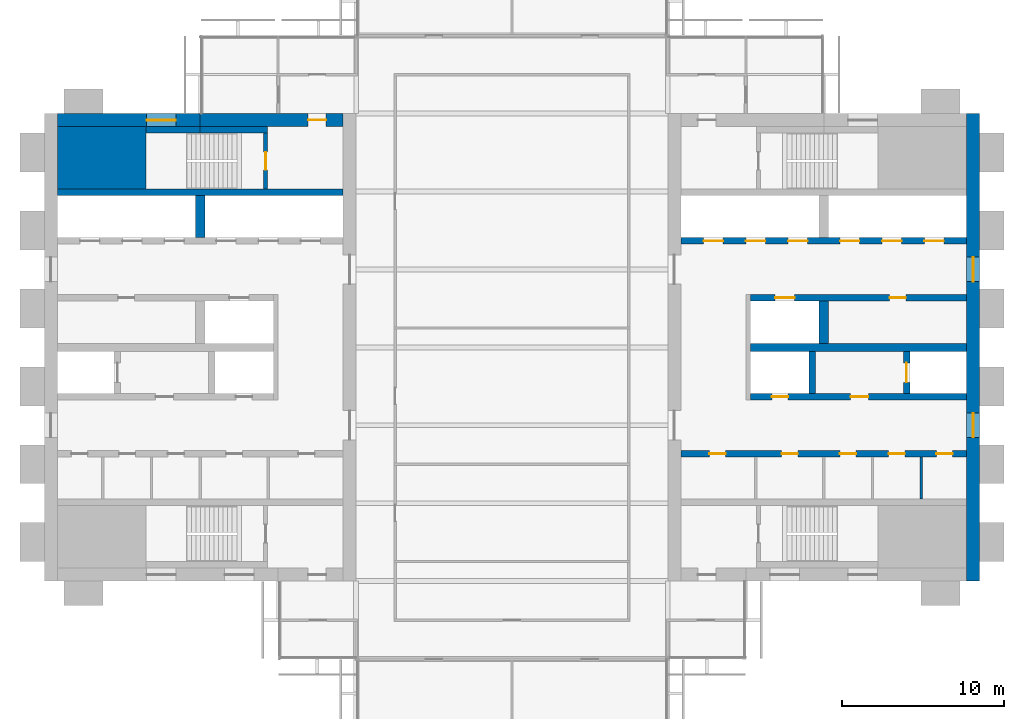
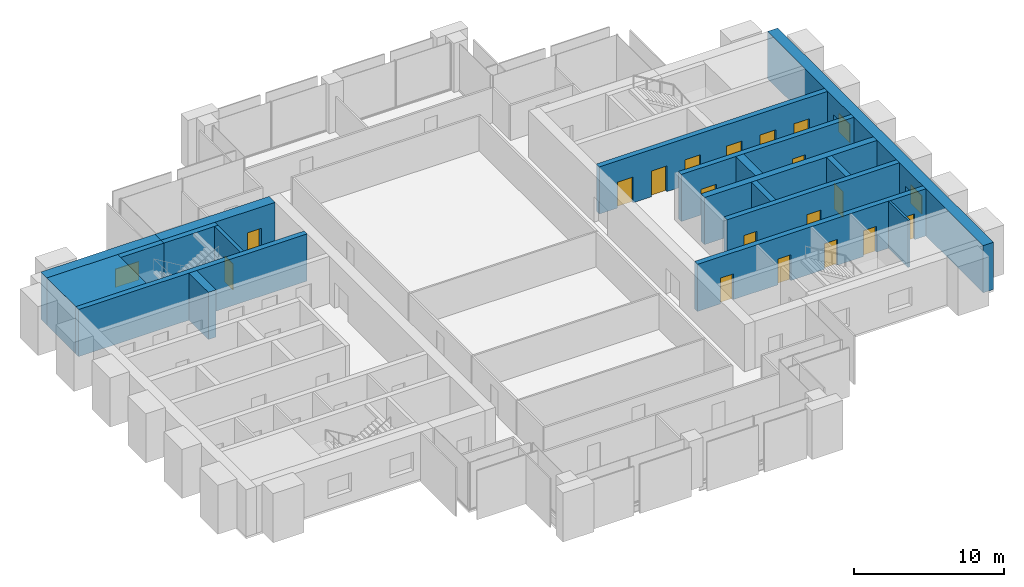
# One storey, part 10 of 13: 18 doors, 18 walls, 3 windows, 21 openings.
"""IFC4 building model written with IfcOpenShell, lengths in metres."""

import ifcopenshell
import ifcopenshell.guid

model = None  # the IFC model being written
_history = None  # IfcOwnerHistory: only IFC2X3 demands one
_inside = {}  # id of a spatial element -> (the spatial element, [elements in it])
_under = {}  # id of a project, library or spatial element -> (it, [spatial elements below it])
_declared = {}  # id of a project -> (the project, [libraries it declares])
_typed = {}  # id of a type object -> (the type object, [elements of that type])
_made_of = {}  # id of a material, layer set ... -> (it, [elements and type objects made of it])


def new_model(schema):
    """Start an empty IFC model of exactly this schema.

    Asked for "IFC4X3", IfcOpenShell would pick the latest addendum, in which some entities
    have other attributes; the version numbers below select the first issue.
    IFC2X3 requires an IfcOwnerHistory on every rooted entity: one is made here for all.
    """
    global model, _history
    if schema == "IFC4X3":
        model = ifcopenshell.file(schema_version=(4, 3, 0, 0))
    else:
        model = ifcopenshell.file(schema=schema)
    _inside.clear()
    _under.clear()
    _declared.clear()
    _typed.clear()
    _made_of.clear()
    _history = None
    if model.schema == "IFC2X3":
        org = make("IfcOrganization", Name="unknown")
        user = make(
            "IfcPersonAndOrganization",
            ThePerson=make("IfcPerson", FamilyName="unknown"),
            TheOrganization=org,
        )
        app = make(
            "IfcApplication",
            ApplicationDeveloper=org,
            Version="unknown",
            ApplicationFullName="unknown",
            ApplicationIdentifier="unknown",
        )
        _history = make(
            "IfcOwnerHistory",
            OwningUser=user,
            OwningApplication=app,
            ChangeAction="ADDED",
            CreationDate=0,
        )
    return model


def make(cls, **values):
    """One entity of the class cls with the attributes given. An attribute that is None is left unset."""
    return model.create_entity(
        cls, **{name: value for name, value in values.items() if value is not None}
    )


def rooted(cls, **values):
    """An entity with a GlobalId (a new one), such as an element, a storey or a relation."""
    return make(cls, GlobalId=ifcopenshell.guid.new(), OwnerHistory=_history, **values)


def si_unit(unit_type, name, prefix=None):
    """IfcSIUnit, for example si_unit("LENGTHUNIT", "METRE", prefix="MILLI")."""
    return make("IfcSIUnit", UnitType=unit_type, Prefix=prefix, Name=name)


def assignment(units):
    """IfcUnitAssignment: the units of a project."""
    return None if units is None else make("IfcUnitAssignment", Units=units)


def point(xyz):
    """IfcCartesianPoint."""
    return None if xyz is None else make("IfcCartesianPoint", Coordinates=xyz)


def direction(xyz):
    """IfcDirection."""
    return None if xyz is None else make("IfcDirection", DirectionRatios=xyz)


def frame(location, z_axis=None, x_axis=None):
    """IfcAxis2Placement3D, a coordinate frame: its origin and axes. An axis left out is left unset."""
    return make(
        "IfcAxis2Placement3D",
        Location=point(location),
        Axis=direction(z_axis),
        RefDirection=direction(x_axis),
    )


def frame_2d(location, x_axis=None):
    """IfcAxis2Placement2D, a coordinate frame in the plane: its origin and x axis."""
    return make(
        "IfcAxis2Placement2D", Location=point(location), RefDirection=direction(x_axis)
    )


def origin():
    """The frame at (0, 0, 0) with its axes left unset."""
    return frame((0.0, 0.0, 0.0))


def place(relative_to, where):
    """IfcLocalPlacement: puts the frame where relative to a parent placement (None: the world)."""
    return make(
        "IfcLocalPlacement", PlacementRelTo=relative_to, RelativePlacement=where
    )


def context(
    kind, dimensions, precision=None, world=None, true_north=None, identifier=None
):
    """IfcGeometricRepresentationContext, for example the 3D "Model" context."""
    return make(
        "IfcGeometricRepresentationContext",
        ContextIdentifier=identifier,
        ContextType=kind,
        CoordinateSpaceDimension=dimensions,
        Precision=precision,
        WorldCoordinateSystem=world,
        TrueNorth=true_north,
    )


def subcontext(parent, identifier, kind, view, scale=None):
    """IfcGeometricRepresentationSubContext, for example "Body" below "Model"."""
    return make(
        "IfcGeometricRepresentationSubContext",
        ContextIdentifier=identifier,
        ContextType=kind,
        ParentContext=parent,
        TargetScale=scale,
        TargetView=view,
    )


def project(units=None, contexts=None):
    """IfcProject with its units and contexts."""
    return rooted(
        "IfcProject",
        Name="project",
        RepresentationContexts=contexts,
        UnitsInContext=assignment(units),
    )


def spatial(cls, under=None, at=None, **own):
    """A site, building, storey or space (cls), placed at a placement, below another one or the project."""
    s = rooted(cls, ObjectPlacement=at, **own)
    if under is not None:
        _under.setdefault(under.id(), (under, []))[1].append(s)
    return s


def profile(cls, at=None, kind="AREA", **sizes):
    """A parametric profile (cls). Its sizes go by their IFC names, for example OverallWidth=200.0."""
    return make(cls, ProfileType=kind, Position=at, **sizes)


def rectangle(**sizes):
    """IfcRectangleProfileDef."""
    return profile("IfcRectangleProfileDef", **sizes)


def extrude(swept, where, along, depth):
    """IfcExtrudedAreaSolid: the profile swept, set in the frame where, extruded along a direction by depth."""
    return make(
        "IfcExtrudedAreaSolid",
        SweptArea=swept,
        Position=where,
        ExtrudedDirection=direction(along),
        Depth=depth,
    )


def shape(context_of_items, identifier, shape_type, items):
    """IfcShapeRepresentation: the items that make up one representation, for example the "Body"."""
    return make(
        "IfcShapeRepresentation",
        ContextOfItems=context_of_items,
        RepresentationIdentifier=identifier,
        RepresentationType=shape_type,
        Items=items,
    )


def material(Name=None, Category=None):
    """IfcMaterial."""
    return make("IfcMaterial", Name=Name, Category=Category)


def layer(
    of_material, thickness, ventilated=None, Name=None, Category=None, Priority=None
):
    """IfcMaterialLayer: one layer of a wall or slab, of a material (None: an air gap)."""
    return make(
        "IfcMaterialLayer",
        Material=of_material,
        LayerThickness=thickness,
        IsVentilated=ventilated,
        Name=Name,
        Category=Category,
        Priority=Priority,
    )


def layer_set(layers, Name=None):
    """IfcMaterialLayerSet."""
    return make("IfcMaterialLayerSet", MaterialLayers=layers, LayerSetName=Name)


def made_of(thing, what):
    """Note that an element or type object is made of a material, layer set ...; save() writes the relation."""
    if what is not None:
        _made_of.setdefault(what.id(), (what, []))[1].append(thing)
    return thing


def type_object(cls, material=None, **own):
    """A type object (cls), such as IfcWallType, which elements share."""
    return made_of(rooted(cls, **own), material)


def element(
    cls,
    number,
    at=None,
    inside=None,
    cuts=None,
    type_object=None,
    material=None,
    context=None,
    identifier="Body",
    shape_type=None,
    held_by="IfcProductDefinitionShape",
    body=None,
    shapes=None,
    **own,
):
    """One element of the class cls, such as IfcWall. Its Tag is "e" and its number.

    at: its placement. inside: the storey or other place that contains it. cuts: it is an
    opening in that element (IfcRelVoidsElement). A single representation is given by context,
    identifier, shape_type and body (its items); several are given by shapes. held_by: the class
    of the entity that holds the representations. save() writes the other relations.
    """
    e = rooted(cls, Tag="e%d" % number, ObjectPlacement=at, **own)
    if body is not None:
        shapes = [shape(context, identifier, shape_type, body)]
    if shapes is not None:
        e.Representation = make(held_by, Representations=shapes)
    if inside is not None:
        _inside.setdefault(inside.id(), (inside, []))[1].append(e)
    if cuts is not None:
        rooted(
            "IfcRelVoidsElement", RelatingBuildingElement=cuts, RelatedOpeningElement=e
        )
    if type_object is not None:
        _typed.setdefault(type_object.id(), (type_object, []))[1].append(e)
    return made_of(e, material)


def fill(opening, filler):
    """IfcRelFillsElement: the door or window that sits in an opening."""
    return rooted(
        "IfcRelFillsElement",
        RelatingOpeningElement=opening,
        RelatedBuildingElement=filler,
    )


def aggregate(whole, parts):
    """IfcRelAggregates: a whole, such as a stair, and the parts it consists of."""
    return rooted("IfcRelAggregates", RelatingObject=whole, RelatedObjects=parts)


def save(model, path):
    """Write the relations noted so far, then the file.

    IfcRelAggregates (storeys below a building ...), IfcRelContainedInSpatialStructure (elements
    in a storey), IfcRelDefinesByType, IfcRelAssociatesMaterial and IfcRelDeclares: one each for
    every whole, place, type object, material and project.
    """
    for whole, parts in _under.values():
        aggregate(whole, parts)
    for where, things in _inside.values():
        rooted(
            "IfcRelContainedInSpatialStructure",
            RelatedElements=things,
            RelatingStructure=where,
        )
    for kind, things in _typed.values():
        rooted("IfcRelDefinesByType", RelatedObjects=things, RelatingType=kind)
    for what, things in _made_of.values():
        rooted("IfcRelAssociatesMaterial", RelatedObjects=things, RelatingMaterial=what)
    for by, libraries in _declared.values():
        rooted("IfcRelDeclares", RelatingContext=by, RelatedDefinitions=libraries)
    model.write(path)


model = new_model("IFC4")

# Units and contexts
model_context = context("Model", 3, precision=1e-05, world=origin(), true_north=direction((0.0, 1.0)))
body_context = subcontext(model_context, "Body", "Model", "MODEL_VIEW")
ifc_project = project(units=[si_unit("LENGTHUNIT", "METRE"), si_unit("AREAUNIT", "SQUARE_METRE"), si_unit("VOLUMEUNIT", "CUBIC_METRE"), si_unit("PLANEANGLEUNIT", "RADIAN"), si_unit("MASSUNIT", "GRAM", prefix="KILO")], contexts=[model_context])

# Site, building, storey
site_placement = place(None, origin())
site = spatial("IfcSite", under=ifc_project, at=site_placement, CompositionType="ELEMENT")
building_placement = place(site_placement, origin())
building = spatial("IfcBuilding", under=site, at=building_placement, Name="Baori Bourse Tower", CompositionType="ELEMENT")
storey_placement = place(building_placement, frame((0.0, 0.0, 253.199951171875)))
storey = spatial("IfcBuildingStorey", under=building, at=storey_placement, Name="L56", CompositionType="ELEMENT", Elevation=253.199951171875)

# Walls
ifc_material_1 = material(Name="Concrete f'c 50 MPa", Category="concrete")
wall_type_1 = type_object("IfcWallType", Name="Core corner block f'c 50", PredefinedType="SHEAR", material=ifc_material_1)
wall_1_placement = place(storey_placement, frame((0.800048828125, 35.675048828125, 0.0), z_axis=(0.0, 0.0, 1.0), x_axis=(1.0, 0.0, 0.0)))
element("IfcWall", 1, at=wall_1_placement, inside=storey, type_object=wall_type_1, Name="Core wall W24", PredefinedType="SHEAR", context=body_context, shape_type="SweptSolid", body=[
    extrude(rectangle(XDim=5.449951171875, YDim=3.85009765625, at=frame_2d((2.72509765625, 0.0))), origin(), (0.0, 0.0, 1.0), 3.840087890625),
])
ifc_material_2 = material(Name="Blockwork partition", Category="masonry")
ifc_layer_1 = layer(ifc_material_2, 0.14990234375)
ifc_layer_set_1 = layer_set([ifc_layer_1], Name="Core partition 150")
wall_type_2 = type_object("IfcWallType", Name="Core partition 150", PredefinedType="PARTITIONING", material=ifc_layer_set_1)
wall_2_placement = place(storey_placement, frame((54.0, 14.64990234375, 0.0), z_axis=(0.0, 0.0, 1.0), x_axis=(0.0, 1.0, 0.0)))
element("IfcWall", 2, at=wall_2_placement, inside=storey, type_object=wall_type_2, Name="Partition wall E09", PredefinedType="PARTITIONING", context=body_context, shape_type="SweptSolid", body=[
    extrude(rectangle(XDim=2.60009765625, YDim=0.14990234375, at=frame_2d((1.300048828125, 0.0))), origin(), (0.0, 0.0, 1.0), 3.840087890625),
])

# Wall, opening, window
ifc_material_3 = material(Name="Concrete f'c 50 MPa", Category="concrete")
ifc_layer_2 = layer(ifc_material_3, 0.800048828125)
ifc_layer_set_2 = layer_set([ifc_layer_2], Name="Core wall 800 f'c 50")
wall_type_3 = type_object("IfcWallType", Name="Core wall 800 f'c 50", PredefinedType="SHEAR", material=ifc_layer_set_2)
wall_3_placement = place(storey_placement, frame((0.800048828125, 38.0, 0.0), z_axis=(0.0, 0.0, 1.0), x_axis=(1.0, 0.0, 0.0)))
wall_3 = element("IfcWall", 3, at=wall_3_placement, inside=storey, type_object=wall_type_3, Name="Core wall W28", PredefinedType="SHEAR", context=body_context, shape_type="SweptSolid", body=[
    extrude(rectangle(XDim=8.800048828125, YDim=0.800048828125, at=frame_2d((4.39990234375, 0.0))), origin(), (0.0, 0.0, 1.0), 3.840087890625),
])
opening_1_placement = place(wall_3_placement, frame((5.5, 0.0, 0.89990234375)))
opening_1 = element("IfcOpeningElement", 4, at=opening_1_placement, cuts=wall_3, Name="Opening L56-KW105", PredefinedType="OPENING", context=body_context, shape_type="SweptSolid", body=[
    extrude(rectangle(XDim=1.800048828125, YDim=1.5, at=frame_2d((0.89990234375, 0.75))), frame((0.0, 0.409912109375, 0.0), z_axis=(0.0, -1.0, 0.0), x_axis=(1.0, 0.0, 0.0)), (0.0, 0.0, 1.0), 0.820068359375),
])
ifc_material_4 = material(Name="Pale anodised aluminium", Category="aluminium")
window_type_1 = type_object("IfcWindowType", Name="Stair window 1800 x 1500", PartitioningType="SINGLE_PANEL", PredefinedType="WINDOW", material=ifc_material_4)
window_1_placement = place(opening_1_placement, origin())
window_1 = element("IfcWindow", 5, at=window_1_placement, inside=storey, type_object=window_type_1, Name="Stair window W L56 5", OverallHeight=1.5, OverallWidth=1.800048828125, PartitioningType="SINGLE_PANEL", PredefinedType="WINDOW", context=body_context, shape_type="SweptSolid", body=[
    extrude(rectangle(XDim=1.800048828125, YDim=1.5, at=frame_2d((0.89990234375, 0.75))), frame((0.0, 0.030029296875, 0.0), z_axis=(0.0, -1.0, 0.0), x_axis=(1.0, 0.0, 0.0)), (0.0, 0.0, 1.0), 0.06005859375),
])
fill(opening_1, window_1)

# Wall, opening, door
wall_4_placement = place(storey_placement, frame((9.60009765625, 38.0, 0.0), z_axis=(0.0, 0.0, 1.0), x_axis=(1.0, 0.0, 0.0)))
wall_4 = element("IfcWall", 6, at=wall_4_placement, inside=storey, type_object=wall_type_3, Name="Core wall W29", PredefinedType="SHEAR", context=body_context, shape_type="SweptSolid", body=[
    extrude(rectangle(XDim=8.7998046875, YDim=0.800048828125, at=frame_2d((4.39990234375, 0.0))), origin(), (0.0, 0.0, 1.0), 3.840087890625),
])
opening_2_placement = place(wall_4_placement, frame((6.64990234375, 0.0, 0.0)))
opening_2 = element("IfcOpeningElement", 7, at=opening_2_placement, cuts=wall_4, Name="Opening L56-D104", PredefinedType="OPENING", context=body_context, shape_type="SweptSolid", body=[
    extrude(rectangle(XDim=1.10009765625, YDim=2.10009765625, at=frame_2d((0.550048828125, 1.050048828125))), frame((0.0, 0.409912109375, 0.0), z_axis=(0.0, -1.0, 0.0), x_axis=(1.0, 0.0, 0.0)), (0.0, 0.0, 1.0), 0.820068359375),
])
ifc_material_5 = material(Name="Painted steel door", Category="steel")
door_type_1 = type_object("IfcDoorType", Name="Stair door 1100", OperationType="SINGLE_SWING_LEFT", PredefinedType="DOOR", material=ifc_material_5)
door_1_placement = place(opening_2_placement, origin())
door_1 = element("IfcDoor", 8, at=door_1_placement, inside=storey, type_object=door_type_1, Name="Stair vestibule door B W L56", OperationType="SINGLE_SWING_LEFT", OverallHeight=2.10009765625, OverallWidth=1.10009765625, PredefinedType="DOOR", context=body_context, shape_type="SweptSolid", body=[
    extrude(rectangle(XDim=1.10009765625, YDim=2.10009765625, at=frame_2d((0.550048828125, 1.050048828125))), frame((0.0, 0.02490234375, 0.0), z_axis=(0.0, -1.0, 0.0), x_axis=(1.0, 0.0, 0.0)), (0.0, 0.0, 1.0), 0.050048828125),
])
fill(opening_2, door_1)

# Wall, openings, windows
wall_5_placement = place(storey_placement, frame((57.199951171875, 38.39990234375, 0.0), z_axis=(0.0, 0.0, 1.0), x_axis=(0.0, -1.0, 0.0)))
wall_5 = element("IfcWall", 9, at=wall_5_placement, inside=storey, type_object=wall_type_3, Name="Core wall E01", PredefinedType="SHEAR", context=body_context, shape_type="SweptSolid", body=[
    extrude(rectangle(XDim=28.7998046875, YDim=0.800048828125, at=frame_2d((14.39990234375, 0.0))), origin(), (0.0, 0.0, 1.0), 3.840087890625),
])
opening_3_placement = place(wall_5_placement, frame((18.449951171875, 0.0, 0.89990234375)))
opening_3 = element("IfcOpeningElement", 10, at=opening_3_placement, cuts=wall_5, Name="Opening L56-KW201", PredefinedType="OPENING", context=body_context, shape_type="SweptSolid", body=[
    extrude(rectangle(XDim=1.5, YDim=1.5, at=frame_2d((0.75, 0.75))), frame((0.0, 0.409912109375, 0.0), z_axis=(0.0, -1.0, 0.0), x_axis=(1.0, 0.0, 0.0)), (0.0, 0.0, 1.0), 0.820068359375),
])
opening_4_placement = place(wall_5_placement, frame((8.85009765625, 0.0, 0.89990234375)))
opening_4 = element("IfcOpeningElement", 11, at=opening_4_placement, cuts=wall_5, Name="Opening L56-KW202", PredefinedType="OPENING", context=body_context, shape_type="SweptSolid", body=[
    extrude(rectangle(XDim=1.5, YDim=1.5, at=frame_2d((0.75, 0.75))), frame((0.0, 0.409912109375, 0.0), z_axis=(0.0, -1.0, 0.0), x_axis=(1.0, 0.0, 0.0)), (0.0, 0.0, 1.0), 0.820068359375),
])
ifc_material_6 = material(Name="Pale anodised aluminium", Category="aluminium")
window_type_2 = type_object("IfcWindowType", Name="Lobby window 1500 x 1500", PartitioningType="SINGLE_PANEL", PredefinedType="WINDOW", material=ifc_material_6)
window_2_placement = place(opening_3_placement, origin())
window_2 = element("IfcWindow", 12, at=window_2_placement, inside=storey, type_object=window_type_2, Name="Outer wall window E L56 1", OverallHeight=1.5, OverallWidth=1.5, PartitioningType="SINGLE_PANEL", PredefinedType="WINDOW", context=body_context, shape_type="SweptSolid", body=[
    extrude(rectangle(XDim=1.5, YDim=1.5, at=frame_2d((0.75, 0.75))), frame((0.0, 0.030029296875, 0.0), z_axis=(0.0, -1.0, 0.0), x_axis=(1.0, 0.0, 0.0)), (0.0, 0.0, 1.0), 0.06005859375),
])
fill(opening_3, window_2)
window_3_placement = place(opening_4_placement, origin())
window_3 = element("IfcWindow", 13, at=window_3_placement, inside=storey, type_object=window_type_2, Name="Outer wall window E L56 2", OverallHeight=1.5, OverallWidth=1.5, PartitioningType="SINGLE_PANEL", PredefinedType="WINDOW", context=body_context, shape_type="SweptSolid", body=[
    extrude(rectangle(XDim=1.5, YDim=1.5, at=frame_2d((0.75, 0.75))), frame((0.0, 0.030029296875, 0.0), z_axis=(0.0, -1.0, 0.0), x_axis=(1.0, 0.0, 0.0)), (0.0, 0.0, 1.0), 0.06005859375),
])
fill(opening_4, window_3)

# Wall, opening, door
ifc_material_7 = material(Name="Concrete f'c 50 MPa", Category="concrete")
ifc_layer_3 = layer(ifc_material_7, 0.25)
ifc_layer_set_3 = layer_set([ifc_layer_3], Name="Shaft wall 250 f'c 50")
wall_type_4 = type_object("IfcWallType", Name="Shaft wall 250 f'c 50", PredefinedType="SHEAR", material=ifc_layer_set_3)
wall_6_placement = place(storey_placement, frame((13.625, 33.75, 0.0), z_axis=(0.0, 0.0, 1.0), x_axis=(0.0, 1.0, 0.0)))
wall_6 = element("IfcWall", 14, at=wall_6_placement, inside=storey, type_object=wall_type_4, Name="Core wall W25", PredefinedType="SHEAR", context=body_context, shape_type="SweptSolid", body=[
    extrude(rectangle(XDim=3.449951171875, YDim=0.25, at=frame_2d((1.72509765625, 0.0))), origin(), (0.0, 0.0, 1.0), 3.840087890625),
])
opening_5_placement = place(wall_6_placement, frame((1.175048828125, 0.0, 0.0)))
opening_5 = element("IfcOpeningElement", 15, at=opening_5_placement, cuts=wall_6, Name="Opening L56-D103", PredefinedType="OPENING", context=body_context, shape_type="SweptSolid", body=[
    extrude(rectangle(XDim=1.10009765625, YDim=2.10009765625, at=frame_2d((0.550048828125, 1.050048828125))), frame((0.0, 0.135009765625, 0.0), z_axis=(0.0, -1.0, 0.0), x_axis=(1.0, 0.0, 0.0)), (0.0, 0.0, 1.0), 0.27001953125),
])
door_2_placement = place(opening_5_placement, origin())
door_2 = element("IfcDoor", 16, at=door_2_placement, inside=storey, type_object=door_type_1, Name="Stair door B W L56", OperationType="SINGLE_SWING_LEFT", OverallHeight=2.10009765625, OverallWidth=1.10009765625, PredefinedType="DOOR", context=body_context, shape_type="SweptSolid", body=[
    extrude(rectangle(XDim=1.10009765625, YDim=2.10009765625, at=frame_2d((0.550048828125, 1.050048828125))), frame((0.0, 0.02490234375, 0.0), z_axis=(0.0, -1.0, 0.0), x_axis=(1.0, 0.0, 0.0)), (0.0, 0.0, 1.0), 0.050048828125),
])
fill(opening_5, door_2)

# Walls
ifc_material_8 = material(Name="Concrete f'c 50 MPa", Category="concrete")
ifc_layer_4 = layer(ifc_material_8, 0.39990234375)
ifc_layer_set_4 = layer_set([ifc_layer_4], Name="Shaft wall 400 f'c 50")
wall_type_5 = type_object("IfcWallType", Name="Shaft wall 400 f'c 50", PredefinedType="SHEAR", material=ifc_layer_set_4)
wall_7_placement = place(storey_placement, frame((0.800048828125, 33.550048828125, 0.0), z_axis=(0.0, 0.0, 1.0), x_axis=(1.0, 0.0, 0.0)))
element("IfcWall", 17, at=wall_7_placement, inside=storey, type_object=wall_type_5, Name="Core wall W23", PredefinedType="SHEAR", context=body_context, shape_type="SweptSolid", body=[
    extrude(rectangle(XDim=17.599853515625, YDim=0.39990234375, at=frame_2d((8.7998046875, 0.0))), origin(), (0.0, 0.0, 1.0), 3.840087890625),
])
wall_8_placement = place(storey_placement, frame((6.25, 37.39990234375, 0.0), z_axis=(0.0, 0.0, 1.0), x_axis=(1.0, 0.0, 0.0)))
element("IfcWall", 18, at=wall_8_placement, inside=storey, type_object=wall_type_5, Name="Core wall W26", PredefinedType="SHEAR", context=body_context, shape_type="SweptSolid", body=[
    extrude(rectangle(XDim=3.35009765625, YDim=0.39990234375, at=frame_2d((1.675048828125, 0.0))), origin(), (0.0, 0.0, 1.0), 3.840087890625),
])
wall_9_placement = place(storey_placement, frame((9.60009765625, 37.39990234375, 0.0), z_axis=(0.0, 0.0, 1.0), x_axis=(1.0, 0.0, 0.0)))
element("IfcWall", 19, at=wall_9_placement, inside=storey, type_object=wall_type_5, Name="Core wall W27", PredefinedType="SHEAR", context=body_context, shape_type="SweptSolid", body=[
    extrude(rectangle(XDim=4.14990234375, YDim=0.39990234375, at=frame_2d((2.074951171875, 0.0))), origin(), (0.0, 0.0, 1.0), 3.840087890625),
])

# Wall, openings, doors
wall_10_placement = place(storey_placement, frame((39.199951171875, 17.449951171875, 0.0), z_axis=(0.0, 0.0, 1.0), x_axis=(1.0, 0.0, 0.0)))
wall_10 = element("IfcWall", 20, at=wall_10_placement, inside=storey, type_object=wall_type_5, Name="Core wall E13", PredefinedType="SHEAR", context=body_context, shape_type="SweptSolid", body=[
    extrude(rectangle(XDim=17.60009765625, YDim=0.39990234375, at=frame_2d((8.800048828125, 0.0))), origin(), (0.0, 0.0, 1.0), 3.840087890625),
])
opening_6_placement = place(wall_10_placement, frame((15.737548828125, 0.0, 0.0)))
opening_6 = element("IfcOpeningElement", 21, at=opening_6_placement, cuts=wall_10, Name="Opening L56-D209", PredefinedType="OPENING", context=body_context, shape_type="SweptSolid", body=[
    extrude(rectangle(XDim=1.0, YDim=2.10009765625, at=frame_2d((0.5, 1.050048828125))), frame((0.0, 0.2099609375, 0.0), z_axis=(0.0, -1.0, 0.0), x_axis=(1.0, 0.0, 0.0)), (0.0, 0.0, 1.0), 0.419921875),
])
opening_7_placement = place(wall_10_placement, frame((12.800048828125, 0.0, 0.0)))
opening_7 = element("IfcOpeningElement", 22, at=opening_7_placement, cuts=wall_10, Name="Opening L56-D210", PredefinedType="OPENING", context=body_context, shape_type="SweptSolid", body=[
    extrude(rectangle(XDim=1.0, YDim=2.10009765625, at=frame_2d((0.5, 1.050048828125))), frame((0.0, 0.2099609375, 0.0), z_axis=(0.0, -1.0, 0.0), x_axis=(1.0, 0.0, 0.0)), (0.0, 0.0, 1.0), 0.419921875),
])
opening_8_placement = place(wall_10_placement, frame((9.800048828125, 0.0, 0.0)))
opening_8 = element("IfcOpeningElement", 23, at=opening_8_placement, cuts=wall_10, Name="Opening L56-D211", PredefinedType="OPENING", context=body_context, shape_type="SweptSolid", body=[
    extrude(rectangle(XDim=1.0, YDim=2.10009765625, at=frame_2d((0.5, 1.050048828125))), frame((0.0, 0.2099609375, 0.0), z_axis=(0.0, -1.0, 0.0), x_axis=(1.0, 0.0, 0.0)), (0.0, 0.0, 1.0), 0.419921875),
])
opening_9_placement = place(wall_10_placement, frame((6.199951171875, 0.0, 0.0)))
opening_9 = element("IfcOpeningElement", 24, at=opening_9_placement, cuts=wall_10, Name="Opening L56-D212", PredefinedType="OPENING", context=body_context, shape_type="SweptSolid", body=[
    extrude(rectangle(XDim=1.0, YDim=2.10009765625, at=frame_2d((0.5, 1.050048828125))), frame((0.0, 0.2099609375, 0.0), z_axis=(0.0, -1.0, 0.0), x_axis=(1.0, 0.0, 0.0)), (0.0, 0.0, 1.0), 0.419921875),
])
opening_10_placement = place(wall_10_placement, frame((1.762451171875, 0.0, 0.0)))
opening_10 = element("IfcOpeningElement", 25, at=opening_10_placement, cuts=wall_10, Name="Opening L56-D213", PredefinedType="OPENING", context=body_context, shape_type="SweptSolid", body=[
    extrude(rectangle(XDim=1.0, YDim=2.10009765625, at=frame_2d((0.5, 1.050048828125))), frame((0.0, 0.2099609375, 0.0), z_axis=(0.0, -1.0, 0.0), x_axis=(1.0, 0.0, 0.0)), (0.0, 0.0, 1.0), 0.419921875),
])
ifc_material_9 = material(Name="Painted steel door", Category="steel")
door_type_2 = type_object("IfcDoorType", Name="Core door 1000", OperationType="SINGLE_SWING_LEFT", PredefinedType="DOOR", material=ifc_material_9)
door_3_placement = place(opening_6_placement, origin())
door_3 = element("IfcDoor", 26, at=door_3_placement, inside=storey, type_object=door_type_2, Name="Janitor'S Closet door E L56", OperationType="SINGLE_SWING_LEFT", OverallHeight=2.10009765625, OverallWidth=1.0, PredefinedType="DOOR", context=body_context, shape_type="SweptSolid", body=[
    extrude(rectangle(XDim=1.0, YDim=2.10009765625, at=frame_2d((0.5, 1.050048828125))), frame((0.0, 0.02490234375, 0.0), z_axis=(0.0, -1.0, 0.0), x_axis=(1.0, 0.0, 0.0)), (0.0, 0.0, 1.0), 0.050048828125),
])
fill(opening_6, door_3)
door_4_placement = place(opening_7_placement, origin())
door_4 = element("IfcDoor", 27, at=door_4_placement, inside=storey, type_object=door_type_2, Name="Accessible Wc door E L56", OperationType="SINGLE_SWING_LEFT", OverallHeight=2.10009765625, OverallWidth=1.0, PredefinedType="DOOR", context=body_context, shape_type="SweptSolid", body=[
    extrude(rectangle(XDim=1.0, YDim=2.10009765625, at=frame_2d((0.5, 1.050048828125))), frame((0.0, 0.02490234375, 0.0), z_axis=(0.0, -1.0, 0.0), x_axis=(1.0, 0.0, 0.0)), (0.0, 0.0, 1.0), 0.050048828125),
])
fill(opening_7, door_4)
door_5_placement = place(opening_9_placement, origin())
door_5 = element("IfcDoor", 28, at=door_5_placement, inside=storey, type_object=door_type_2, Name="Men'S Wc door E L56", OperationType="SINGLE_SWING_LEFT", OverallHeight=2.10009765625, OverallWidth=1.0, PredefinedType="DOOR", context=body_context, shape_type="SweptSolid", body=[
    extrude(rectangle(XDim=1.0, YDim=2.10009765625, at=frame_2d((0.5, 1.050048828125))), frame((0.0, 0.02490234375, 0.0), z_axis=(0.0, -1.0, 0.0), x_axis=(1.0, 0.0, 0.0)), (0.0, 0.0, 1.0), 0.050048828125),
])
fill(opening_9, door_5)
door_6_placement = place(opening_10_placement, origin())
door_6 = element("IfcDoor", 29, at=door_6_placement, inside=storey, type_object=door_type_2, Name="Women'S Wc door E L56", OperationType="SINGLE_SWING_LEFT", OverallHeight=2.10009765625, OverallWidth=1.0, PredefinedType="DOOR", context=body_context, shape_type="SweptSolid", body=[
    extrude(rectangle(XDim=1.0, YDim=2.10009765625, at=frame_2d((0.5, 1.050048828125))), frame((0.0, 0.02490234375, 0.0), z_axis=(0.0, -1.0, 0.0), x_axis=(1.0, 0.0, 0.0)), (0.0, 0.0, 1.0), 0.050048828125),
])
fill(opening_10, door_6)
ifc_material_10 = material(Name="Painted steel door", Category="steel")
door_type_3 = type_object("IfcDoorType", Name="Plant room door 1000", OperationType="SINGLE_SWING_LEFT", PredefinedType="DOOR", material=ifc_material_10)
door_7_placement = place(opening_8_placement, origin())
door_7 = element("IfcDoor", 30, at=door_7_placement, inside=storey, type_object=door_type_3, Name="Plumbing Equipment Room door E L56", OperationType="SINGLE_SWING_LEFT", OverallHeight=2.10009765625, OverallWidth=1.0, PredefinedType="DOOR", context=body_context, shape_type="SweptSolid", body=[
    extrude(rectangle(XDim=1.0, YDim=2.10009765625, at=frame_2d((0.5, 1.050048828125))), frame((0.0, 0.02490234375, 0.0), z_axis=(0.0, -1.0, 0.0), x_axis=(1.0, 0.0, 0.0)), (0.0, 0.0, 1.0), 0.050048828125),
])
fill(opening_8, door_7)

wall_11_placement = place(storey_placement, frame((43.5, 20.949951171875, 0.0), z_axis=(0.0, 0.0, 1.0), x_axis=(1.0, 0.0, 0.0)))
wall_11 = element("IfcWall", 31, at=wall_11_placement, inside=storey, type_object=wall_type_5, Name="Core wall E14", PredefinedType="SHEAR", context=body_context, shape_type="SweptSolid", body=[
    extrude(rectangle(XDim=13.300048828125, YDim=0.39990234375, at=frame_2d((6.64990234375, 0.0))), origin(), (0.0, 0.0, 1.0), 3.840087890625),
])
opening_11_placement = place(wall_11_placement, frame((6.14990234375, 0.0, 0.0)))
opening_11 = element("IfcOpeningElement", 32, at=opening_11_placement, cuts=wall_11, Name="Opening L56-D205", PredefinedType="OPENING", context=body_context, shape_type="SweptSolid", body=[
    extrude(rectangle(XDim=1.10009765625, YDim=2.10009765625, at=frame_2d((0.550048828125, 1.050048828125))), frame((0.0, 0.2099609375, 0.0), z_axis=(0.0, -1.0, 0.0), x_axis=(1.0, 0.0, 0.0)), (0.0, 0.0, 1.0), 0.419921875),
])
opening_12_placement = place(wall_11_placement, frame((1.300048828125, 0.0, 0.0)))
opening_12 = element("IfcOpeningElement", 33, at=opening_12_placement, cuts=wall_11, Name="Opening L56-D206", PredefinedType="OPENING", context=body_context, shape_type="SweptSolid", body=[
    extrude(rectangle(XDim=1.0, YDim=2.10009765625, at=frame_2d((0.5, 1.050048828125))), frame((0.0, 0.2099609375, 0.0), z_axis=(0.0, -1.0, 0.0), x_axis=(1.0, 0.0, 0.0)), (0.0, 0.0, 1.0), 0.419921875),
])
ifc_material_11 = material(Name="Painted steel door", Category="steel")
door_type_4 = type_object("IfcDoorType", Name="Lobby door 1100", OperationType="SINGLE_SWING_LEFT", PredefinedType="DOOR", material=ifc_material_11)
door_8_placement = place(opening_11_placement, origin())
door_8 = element("IfcDoor", 34, at=door_8_placement, inside=storey, type_object=door_type_4, Name="Firefighting lobby door E L56", OperationType="SINGLE_SWING_LEFT", OverallHeight=2.10009765625, OverallWidth=1.10009765625, PredefinedType="DOOR", context=body_context, shape_type="SweptSolid", body=[
    extrude(rectangle(XDim=1.10009765625, YDim=2.10009765625, at=frame_2d((0.550048828125, 1.050048828125))), frame((0.0, 0.02490234375, 0.0), z_axis=(0.0, -1.0, 0.0), x_axis=(1.0, 0.0, 0.0)), (0.0, 0.0, 1.0), 0.050048828125),
])
fill(opening_11, door_8)
ifc_material_12 = material(Name="Painted steel door", Category="steel")
door_type_5 = type_object("IfcDoorType", Name="Shaft door 1000", OperationType="SINGLE_SWING_LEFT", PredefinedType="DOOR", material=ifc_material_12)
door_9_placement = place(opening_12_placement, origin())
door_9 = element("IfcDoor", 35, at=door_9_placement, inside=storey, type_object=door_type_5, Name="Riser room door E L56", OperationType="SINGLE_SWING_LEFT", OverallHeight=2.10009765625, OverallWidth=1.0, PredefinedType="DOOR", context=body_context, shape_type="SweptSolid", body=[
    extrude(rectangle(XDim=1.0, YDim=2.10009765625, at=frame_2d((0.5, 1.050048828125))), frame((0.0, 0.02490234375, 0.0), z_axis=(0.0, -1.0, 0.0), x_axis=(1.0, 0.0, 0.0)), (0.0, 0.0, 1.0), 0.050048828125),
])
fill(opening_12, door_9)

# Wall, opening, door
wall_12_placement = place(storey_placement, frame((53.10009765625, 21.14990234375, 0.0), z_axis=(0.0, 0.0, 1.0), x_axis=(0.0, 1.0, 0.0)))
wall_12 = element("IfcWall", 36, at=wall_12_placement, inside=storey, type_object=wall_type_5, Name="Core wall E16", PredefinedType="SHEAR", context=body_context, shape_type="SweptSolid", body=[
    extrude(rectangle(XDim=2.60009765625, YDim=0.39990234375, at=frame_2d((1.300048828125, 0.0))), origin(), (0.0, 0.0, 1.0), 3.840087890625),
])
opening_13_placement = place(wall_12_placement, frame((0.699951171875, 0.0, 0.0)))
opening_13 = element("IfcOpeningElement", 37, at=opening_13_placement, cuts=wall_12, Name="Opening L56-D222", PredefinedType="OPENING", context=body_context, shape_type="SweptSolid", body=[
    extrude(rectangle(XDim=1.199951171875, YDim=2.10009765625, at=frame_2d((0.60009765625, 1.050048828125))), frame((0.0, 0.2099609375, 0.0), z_axis=(0.0, -1.0, 0.0), x_axis=(1.0, 0.0, 0.0)), (0.0, 0.0, 1.0), 0.419921875),
])
ifc_material_13 = material(Name="Stainless steel door", Category="steel")
door_type_6 = type_object("IfcDoorType", Name="Lift landing door", OperationType="DOUBLE_DOOR_SLIDING", PredefinedType="DOOR", material=ifc_material_13)
door_10_placement = place(opening_13_placement, origin())
door_10 = element("IfcDoor", 38, at=door_10_placement, inside=storey, type_object=door_type_6, Name="Lift landing door FF2 E L56", OperationType="DOUBLE_DOOR_SLIDING", OverallHeight=2.10009765625, OverallWidth=1.199951171875, PredefinedType="DOOR", context=body_context, shape_type="SweptSolid", body=[
    extrude(rectangle(XDim=1.199951171875, YDim=2.10009765625, at=frame_2d((0.60009765625, 1.050048828125))), frame((0.0, 0.02490234375, 0.0), z_axis=(0.0, -1.0, 0.0), x_axis=(1.0, 0.0, 0.0)), (0.0, 0.0, 1.0), 0.050048828125),
])
fill(opening_13, door_10)

# Wall
wall_13_placement = place(storey_placement, frame((47.300048828125, 21.14990234375, 0.0), z_axis=(0.0, 0.0, 1.0), x_axis=(0.0, 1.0, 0.0)))
element("IfcWall", 39, at=wall_13_placement, inside=storey, type_object=wall_type_5, Name="Core wall E17", PredefinedType="SHEAR", context=body_context, shape_type="SweptSolid", body=[
    extrude(rectangle(XDim=2.60009765625, YDim=0.39990234375, at=frame_2d((1.300048828125, 0.0))), origin(), (0.0, 0.0, 1.0), 3.840087890625),
])

# Wall, openings, doors
wall_14_placement = place(storey_placement, frame((43.5, 27.050048828125, 0.0), z_axis=(0.0, 0.0, 1.0), x_axis=(1.0, 0.0, 0.0)))
wall_14 = element("IfcWall", 40, at=wall_14_placement, inside=storey, type_object=wall_type_5, Name="Core wall E20", PredefinedType="SHEAR", context=body_context, shape_type="SweptSolid", body=[
    extrude(rectangle(XDim=13.300048828125, YDim=0.39990234375, at=frame_2d((6.64990234375, 0.0))), origin(), (0.0, 0.0, 1.0), 3.840087890625),
])
opening_14_placement = place(wall_14_placement, frame((8.550048828125, 0.0, 0.0)))
opening_14 = element("IfcOpeningElement", 41, at=opening_14_placement, cuts=wall_14, Name="Opening L56-D214", PredefinedType="OPENING", context=body_context, shape_type="SweptSolid", body=[
    extrude(rectangle(XDim=1.0, YDim=2.10009765625, at=frame_2d((0.5, 1.050048828125))), frame((0.0, 0.2099609375, 0.0), z_axis=(0.0, -1.0, 0.0), x_axis=(1.0, 0.0, 0.0)), (0.0, 0.0, 1.0), 0.419921875),
])
opening_15_placement = place(wall_14_placement, frame((1.5, 0.0, 0.0)))
opening_15 = element("IfcOpeningElement", 42, at=opening_15_placement, cuts=wall_14, Name="Opening L56-D221", PredefinedType="OPENING", context=body_context, shape_type="SweptSolid", body=[
    extrude(rectangle(XDim=1.199951171875, YDim=2.10009765625, at=frame_2d((0.60009765625, 1.050048828125))), frame((0.0, 0.2099609375, 0.0), z_axis=(0.0, -1.0, 0.0), x_axis=(1.0, 0.0, 0.0)), (0.0, 0.0, 1.0), 0.419921875),
])
door_11_placement = place(opening_14_placement, origin())
door_11 = element("IfcDoor", 43, at=door_11_placement, inside=storey, type_object=door_type_2, Name="Copy Room door E L56", OperationType="SINGLE_SWING_LEFT", OverallHeight=2.10009765625, OverallWidth=1.0, PredefinedType="DOOR", context=body_context, shape_type="SweptSolid", body=[
    extrude(rectangle(XDim=1.0, YDim=2.10009765625, at=frame_2d((0.5, 1.050048828125))), frame((0.0, 0.02490234375, 0.0), z_axis=(0.0, -1.0, 0.0), x_axis=(1.0, 0.0, 0.0)), (0.0, 0.0, 1.0), 0.050048828125),
])
fill(opening_14, door_11)
door_12_placement = place(opening_15_placement, origin())
door_12 = element("IfcDoor", 44, at=door_12_placement, inside=storey, type_object=door_type_6, Name="Lift landing door SV1 E L56", OperationType="DOUBLE_DOOR_SLIDING", OverallHeight=2.10009765625, OverallWidth=1.199951171875, PredefinedType="DOOR", context=body_context, shape_type="SweptSolid", body=[
    extrude(rectangle(XDim=1.199951171875, YDim=2.10009765625, at=frame_2d((0.60009765625, 1.050048828125))), frame((0.0, 0.02490234375, 0.0), z_axis=(0.0, -1.0, 0.0), x_axis=(1.0, 0.0, 0.0)), (0.0, 0.0, 1.0), 0.050048828125),
])
fill(opening_15, door_12)

wall_15_placement = place(storey_placement, frame((39.199951171875, 30.550048828125, 0.0), z_axis=(0.0, 0.0, 1.0), x_axis=(1.0, 0.0, 0.0)))
wall_15 = element("IfcWall", 45, at=wall_15_placement, inside=storey, type_object=wall_type_5, Name="Core wall E21", PredefinedType="SHEAR", context=body_context, shape_type="SweptSolid", body=[
    extrude(rectangle(XDim=17.60009765625, YDim=0.39990234375, at=frame_2d((8.800048828125, 0.0))), origin(), (0.0, 0.0, 1.0), 3.840087890625),
])
opening_16_placement = place(wall_15_placement, frame((15.0, 0.0, 0.0)))
opening_16 = element("IfcOpeningElement", 46, at=opening_16_placement, cuts=wall_15, Name="Opening L56-D215", PredefinedType="OPENING", context=body_context, shape_type="SweptSolid", body=[
    extrude(rectangle(XDim=1.199951171875, YDim=2.10009765625, at=frame_2d((0.60009765625, 1.050048828125))), frame((0.0, 0.2099609375, 0.0), z_axis=(0.0, -1.0, 0.0), x_axis=(1.0, 0.0, 0.0)), (0.0, 0.0, 1.0), 0.419921875),
])
opening_17_placement = place(wall_15_placement, frame((12.39990234375, 0.0, 0.0)))
opening_17 = element("IfcOpeningElement", 47, at=opening_17_placement, cuts=wall_15, Name="Opening L56-D216", PredefinedType="OPENING", context=body_context, shape_type="SweptSolid", body=[
    extrude(rectangle(XDim=1.199951171875, YDim=2.10009765625, at=frame_2d((0.60009765625, 1.050048828125))), frame((0.0, 0.2099609375, 0.0), z_axis=(0.0, -1.0, 0.0), x_axis=(1.0, 0.0, 0.0)), (0.0, 0.0, 1.0), 0.419921875),
])
opening_18_placement = place(wall_15_placement, frame((9.800048828125, 0.0, 0.0)))
opening_18 = element("IfcOpeningElement", 48, at=opening_18_placement, cuts=wall_15, Name="Opening L56-D217", PredefinedType="OPENING", context=body_context, shape_type="SweptSolid", body=[
    extrude(rectangle(XDim=1.199951171875, YDim=2.10009765625, at=frame_2d((0.60009765625, 1.050048828125))), frame((0.0, 0.2099609375, 0.0), z_axis=(0.0, -1.0, 0.0), x_axis=(1.0, 0.0, 0.0)), (0.0, 0.0, 1.0), 0.419921875),
])
opening_19_placement = place(wall_15_placement, frame((6.60009765625, 0.0, 0.0)))
opening_19 = element("IfcOpeningElement", 49, at=opening_19_placement, cuts=wall_15, Name="Opening L56-D218", PredefinedType="OPENING", context=body_context, shape_type="SweptSolid", body=[
    extrude(rectangle(XDim=1.199951171875, YDim=2.10009765625, at=frame_2d((0.60009765625, 1.050048828125))), frame((0.0, 0.2099609375, 0.0), z_axis=(0.0, -1.0, 0.0), x_axis=(1.0, 0.0, 0.0)), (0.0, 0.0, 1.0), 0.419921875),
])
opening_20_placement = place(wall_15_placement, frame((4.0, 0.0, 0.0)))
opening_20 = element("IfcOpeningElement", 50, at=opening_20_placement, cuts=wall_15, Name="Opening L56-D219", PredefinedType="OPENING", context=body_context, shape_type="SweptSolid", body=[
    extrude(rectangle(XDim=1.199951171875, YDim=2.10009765625, at=frame_2d((0.60009765625, 1.050048828125))), frame((0.0, 0.2099609375, 0.0), z_axis=(0.0, -1.0, 0.0), x_axis=(1.0, 0.0, 0.0)), (0.0, 0.0, 1.0), 0.419921875),
])
opening_21_placement = place(wall_15_placement, frame((1.39990234375, 0.0, 0.0)))
opening_21 = element("IfcOpeningElement", 51, at=opening_21_placement, cuts=wall_15, Name="Opening L56-D220", PredefinedType="OPENING", context=body_context, shape_type="SweptSolid", body=[
    extrude(rectangle(XDim=1.199951171875, YDim=2.10009765625, at=frame_2d((0.60009765625, 1.050048828125))), frame((0.0, 0.2099609375, 0.0), z_axis=(0.0, -1.0, 0.0), x_axis=(1.0, 0.0, 0.0)), (0.0, 0.0, 1.0), 0.419921875),
])
door_13_placement = place(opening_16_placement, origin())
door_13 = element("IfcDoor", 52, at=door_13_placement, inside=storey, type_object=door_type_6, Name="Lift landing door HR1 E L56", OperationType="DOUBLE_DOOR_SLIDING", OverallHeight=2.10009765625, OverallWidth=1.199951171875, PredefinedType="DOOR", context=body_context, shape_type="SweptSolid", body=[
    extrude(rectangle(XDim=1.199951171875, YDim=2.10009765625, at=frame_2d((0.60009765625, 1.050048828125))), frame((0.0, 0.02490234375, 0.0), z_axis=(0.0, -1.0, 0.0), x_axis=(1.0, 0.0, 0.0)), (0.0, 0.0, 1.0), 0.050048828125),
])
fill(opening_16, door_13)
door_14_placement = place(opening_17_placement, origin())
door_14 = element("IfcDoor", 53, at=door_14_placement, inside=storey, type_object=door_type_6, Name="Lift landing door HR2 E L56", OperationType="DOUBLE_DOOR_SLIDING", OverallHeight=2.10009765625, OverallWidth=1.199951171875, PredefinedType="DOOR", context=body_context, shape_type="SweptSolid", body=[
    extrude(rectangle(XDim=1.199951171875, YDim=2.10009765625, at=frame_2d((0.60009765625, 1.050048828125))), frame((0.0, 0.02490234375, 0.0), z_axis=(0.0, -1.0, 0.0), x_axis=(1.0, 0.0, 0.0)), (0.0, 0.0, 1.0), 0.050048828125),
])
fill(opening_17, door_14)
door_15_placement = place(opening_18_placement, origin())
door_15 = element("IfcDoor", 54, at=door_15_placement, inside=storey, type_object=door_type_6, Name="Lift landing door HR3 E L56", OperationType="DOUBLE_DOOR_SLIDING", OverallHeight=2.10009765625, OverallWidth=1.199951171875, PredefinedType="DOOR", context=body_context, shape_type="SweptSolid", body=[
    extrude(rectangle(XDim=1.199951171875, YDim=2.10009765625, at=frame_2d((0.60009765625, 1.050048828125))), frame((0.0, 0.02490234375, 0.0), z_axis=(0.0, -1.0, 0.0), x_axis=(1.0, 0.0, 0.0)), (0.0, 0.0, 1.0), 0.050048828125),
])
fill(opening_18, door_15)
door_16_placement = place(opening_19_placement, origin())
door_16 = element("IfcDoor", 55, at=door_16_placement, inside=storey, type_object=door_type_6, Name="Lift landing door HR4 E L56", OperationType="DOUBLE_DOOR_SLIDING", OverallHeight=2.10009765625, OverallWidth=1.199951171875, PredefinedType="DOOR", context=body_context, shape_type="SweptSolid", body=[
    extrude(rectangle(XDim=1.199951171875, YDim=2.10009765625, at=frame_2d((0.60009765625, 1.050048828125))), frame((0.0, 0.02490234375, 0.0), z_axis=(0.0, -1.0, 0.0), x_axis=(1.0, 0.0, 0.0)), (0.0, 0.0, 1.0), 0.050048828125),
])
fill(opening_19, door_16)
door_17_placement = place(opening_20_placement, origin())
door_17 = element("IfcDoor", 56, at=door_17_placement, inside=storey, type_object=door_type_6, Name="Lift landing door HR5 E L56", OperationType="DOUBLE_DOOR_SLIDING", OverallHeight=2.10009765625, OverallWidth=1.199951171875, PredefinedType="DOOR", context=body_context, shape_type="SweptSolid", body=[
    extrude(rectangle(XDim=1.199951171875, YDim=2.10009765625, at=frame_2d((0.60009765625, 1.050048828125))), frame((0.0, 0.02490234375, 0.0), z_axis=(0.0, -1.0, 0.0), x_axis=(1.0, 0.0, 0.0)), (0.0, 0.0, 1.0), 0.050048828125),
])
fill(opening_20, door_17)
door_18_placement = place(opening_21_placement, origin())
door_18 = element("IfcDoor", 57, at=door_18_placement, inside=storey, type_object=door_type_6, Name="Lift landing door HR6 E L56", OperationType="DOUBLE_DOOR_SLIDING", OverallHeight=2.10009765625, OverallWidth=1.199951171875, PredefinedType="DOOR", context=body_context, shape_type="SweptSolid", body=[
    extrude(rectangle(XDim=1.199951171875, YDim=2.10009765625, at=frame_2d((0.60009765625, 1.050048828125))), frame((0.0, 0.02490234375, 0.0), z_axis=(0.0, -1.0, 0.0), x_axis=(1.0, 0.0, 0.0)), (0.0, 0.0, 1.0), 0.050048828125),
])
fill(opening_21, door_18)

# Walls
ifc_material_14 = material(Name="Concrete f'c 50 MPa", Category="concrete")
ifc_layer_5 = layer(ifc_material_14, 0.5)
ifc_layer_set_5 = layer_set([ifc_layer_5], Name="Shaft wall 500 f'c 50")
wall_type_6 = type_object("IfcWallType", Name="Shaft wall 500 f'c 50", PredefinedType="SHEAR", material=ifc_layer_set_5)
wall_16_placement = place(storey_placement, frame((43.5, 24.0, 0.0), z_axis=(0.0, 0.0, 1.0), x_axis=(1.0, 0.0, 0.0)))
element("IfcWall", 58, at=wall_16_placement, inside=storey, type_object=wall_type_6, Name="Core wall E18", PredefinedType="SHEAR", context=body_context, shape_type="SweptSolid", body=[
    extrude(rectangle(XDim=13.300048828125, YDim=0.5, at=frame_2d((6.64990234375, 0.0))), origin(), (0.0, 0.0, 1.0), 3.840087890625),
])
ifc_material_15 = material(Name="Concrete f'c 50 MPa", Category="concrete")
ifc_layer_6 = layer(ifc_material_15, 0.60009765625)
ifc_layer_set_6 = layer_set([ifc_layer_6], Name="Shaft wall 600 f'c 50")
wall_type_7 = type_object("IfcWallType", Name="Shaft wall 600 f'c 50", PredefinedType="SHEAR", material=ifc_layer_set_6)
for number, where, z_axis, x_axis, name in (
    (59, (9.60009765625, 30.75, 0.0), (0.0, 0.0, 1.0), (0.0, 1.0, 0.0), "Core wall W22"),
    (60, (48.0, 24.25, 0.0), (0.0, 0.0, 1.0), (0.0, 1.0, 0.0), "Core wall E19"),
):
    element("IfcWall", number, at=place(storey_placement, frame(where, z_axis=z_axis, x_axis=x_axis)), inside=storey, type_object=wall_type_7, Name=name, PredefinedType="SHEAR", context=body_context, shape_type="SweptSolid", body=[
        extrude(rectangle(XDim=2.60009765625, YDim=0.60009765625, at=frame_2d((1.300048828125, 0.0))), origin(), (0.0, 0.0, 1.0), 3.840087890625),
    ])

save(model, "model.ifc")
